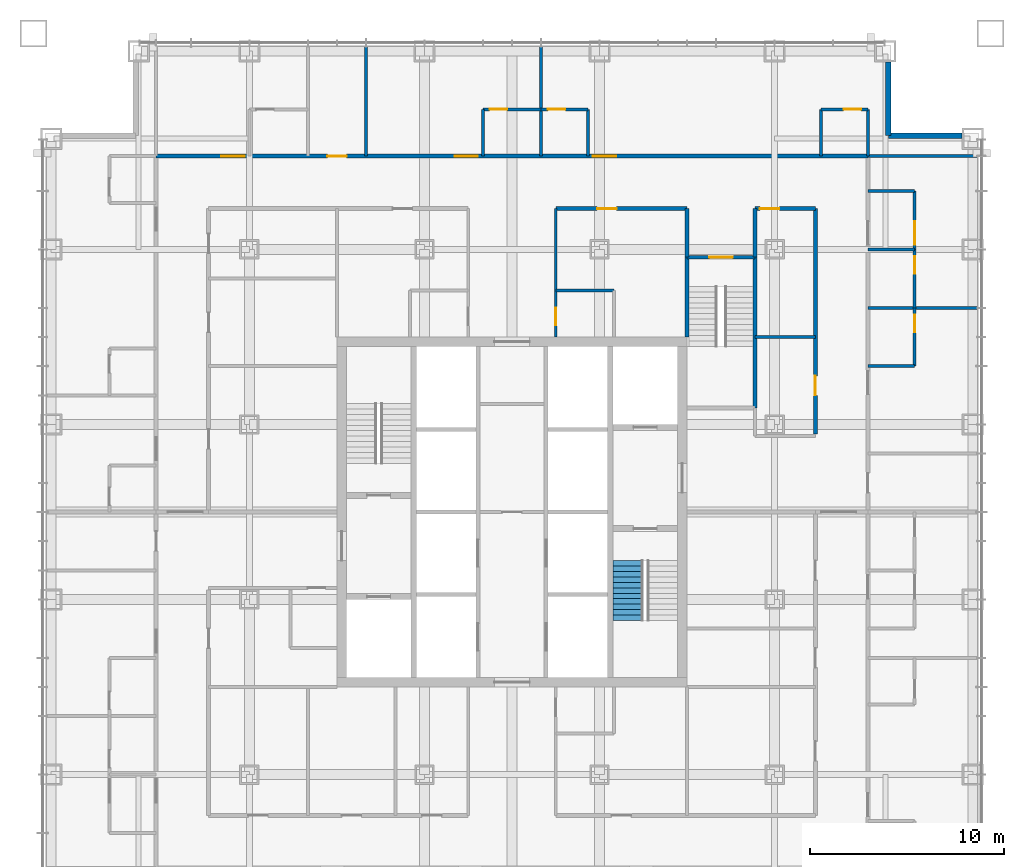
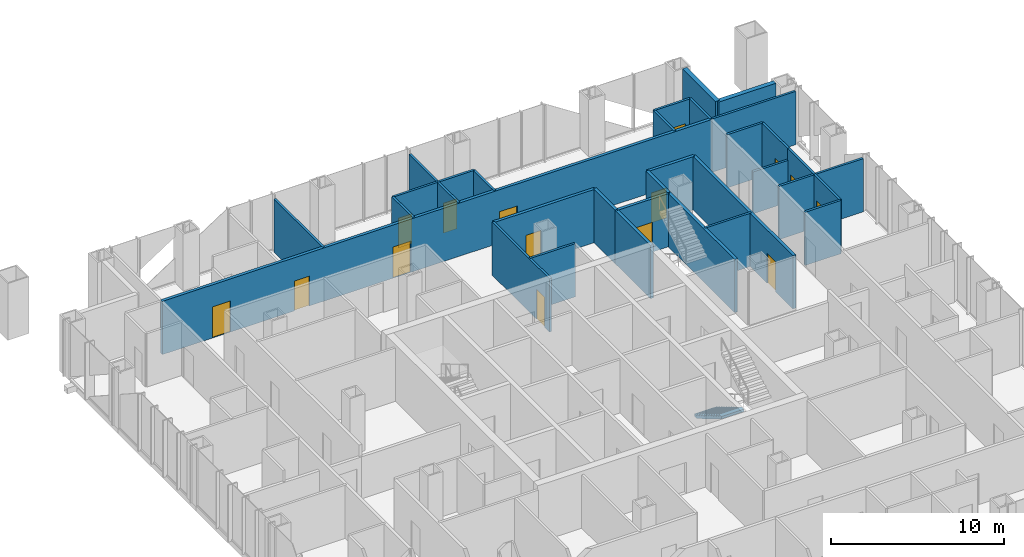
# One storey, part 12 of 16: 31 walls, 15 doors, 1 stair flight, 15 openings, 1 element without a shape of its own.
"""IFC4 building model written with IfcOpenShell, lengths in metres."""

from ifc_helpers import new_model, si_unit, direction, frame, frame_2d, origin, place, context, subcontext, project, spatial, polyline, rectangle, outline, extrude, material, layer, layer_set, type_object, element, fill, aggregate, save


model = new_model("IFC4")

# Units and contexts
model_context = context("Model", 3, precision=1e-05, world=origin(), true_north=direction((0.0, 1.0)))
body_context = subcontext(model_context, "Body", "Model", "MODEL_VIEW")
ifc_project = project(units=[si_unit("LENGTHUNIT", "METRE"), si_unit("AREAUNIT", "SQUARE_METRE"), si_unit("VOLUMEUNIT", "CUBIC_METRE"), si_unit("PLANEANGLEUNIT", "RADIAN"), si_unit("MASSUNIT", "GRAM", prefix="KILO")], contexts=[model_context])

# Site, building, storey
site_placement = place(None, origin())
site = spatial("IfcSite", under=ifc_project, at=site_placement, CompositionType="ELEMENT")
building_placement = place(site_placement, origin())
building = spatial("IfcBuilding", under=site, at=building_placement, Name="Malebo Sky Hospital", CompositionType="ELEMENT")
storey_placement = place(building_placement, frame((0.0, 0.0, 144.0)))
storey = spatial("IfcBuildingStorey", under=building, at=storey_placement, Name="L34", CompositionType="ELEMENT", Elevation=144.0)

# Wall, openings, doors
ifc_material_1 = material(Name="Gypsum board on steel studs", Category="steel")
ifc_layer_1 = layer(ifc_material_1, 0.199951171875)
ifc_layer_set_1 = layer_set([ifc_layer_1], Name="CORRIDOR WALL 200")
wall_type_1 = type_object("IfcWallType", Name="CORRIDOR WALL 200", PredefinedType="PARTITIONING", material=ifc_layer_set_1)
wall_1_placement = place(storey_placement, frame((41.699951171875, 80.300048828125, 0.0), z_axis=(0.0, 0.0, 1.0), x_axis=(1.0, 0.0, 0.0)))
wall_1 = element("IfcWall", 1, at=wall_1_placement, inside=storey, type_object=wall_type_1, Name="Corridor Wall 200 NCO", PredefinedType="PARTITIONING", context=body_context, shape_type="SweptSolid", body=[
    extrude(rectangle(XDim=36.60009765625, YDim=0.199951171875, at=frame_2d((18.300048828125, 0.0))), origin(), (0.0, 0.0, 1.0), 3.75),
])
opening_1_placement = place(wall_1_placement, frame((3.35009765625, 0.0, 0.0)))
opening_1 = element("IfcOpeningElement", 2, at=opening_1_placement, cuts=wall_1, Name="Opening D01", PredefinedType="OPENING", context=body_context, shape_type="SweptSolid", body=[
    extrude(rectangle(XDim=1.199951171875, YDim=2.199951171875, at=frame_2d((0.60009765625, 1.10009765625))), frame((0.0, 0.10986328125, 0.0), z_axis=(0.0, -1.0, 0.0), x_axis=(1.0, 0.0, 0.0)), (0.0, 0.0, 1.0), 0.219970703125),
])
opening_2_placement = place(wall_1_placement, frame((8.800048828125, 0.0, 0.0)))
opening_2 = element("IfcOpeningElement", 3, at=opening_2_placement, cuts=wall_1, Name="Opening D03", PredefinedType="OPENING", context=body_context, shape_type="SweptSolid", body=[
    extrude(rectangle(XDim=1.0, YDim=2.10009765625, at=frame_2d((0.5, 1.050048828125))), frame((0.0, 0.10986328125, 0.0), z_axis=(0.0, -1.0, 0.0), x_axis=(1.0, 0.0, 0.0)), (0.0, 0.0, 1.0), 0.219970703125),
])
opening_3_placement = place(wall_1_placement, frame((15.35009765625, 0.0, 0.0)))
opening_3 = element("IfcOpeningElement", 4, at=opening_3_placement, cuts=wall_1, Name="Opening D01", PredefinedType="OPENING", context=body_context, shape_type="SweptSolid", body=[
    extrude(rectangle(XDim=1.199951171875, YDim=2.199951171875, at=frame_2d((0.60009765625, 1.10009765625))), frame((0.0, 0.10986328125, 0.0), z_axis=(0.0, -1.0, 0.0), x_axis=(1.0, 0.0, 0.0)), (0.0, 0.0, 1.0), 0.219970703125),
])
opening_4_placement = place(wall_1_placement, frame((22.449951171875, 0.0, 0.0)))
opening_4 = element("IfcOpeningElement", 5, at=opening_4_placement, cuts=wall_1, Name="Opening D01", PredefinedType="OPENING", context=body_context, shape_type="SweptSolid", body=[
    extrude(rectangle(XDim=1.199951171875, YDim=2.199951171875, at=frame_2d((0.60009765625, 1.10009765625))), frame((0.0, 0.10986328125, 0.0), z_axis=(0.0, -1.0, 0.0), x_axis=(1.0, 0.0, 0.0)), (0.0, 0.0, 1.0), 0.219970703125),
])
ifc_material_2 = material(Name="Hardwood-faced door leaf in steel frame", Category="steel")
door_type_1 = type_object("IfcDoorType", Name="BED DOOR 1200", OperationType="SINGLE_SWING_LEFT", PredefinedType="DOOR", material=ifc_material_2)
door_1_placement = place(opening_1_placement, origin())
door_1 = element("IfcDoor", 6, at=door_1_placement, inside=storey, type_object=door_type_1, Name="Single bed room door", OperationType="SINGLE_SWING_RIGHT", OverallHeight=2.199951171875, OverallWidth=1.199951171875, PredefinedType="DOOR", context=body_context, shape_type="SweptSolid", body=[
    extrude(rectangle(XDim=1.199951171875, YDim=2.199951171875, at=frame_2d((0.60009765625, 1.10009765625))), frame((0.0, 0.02490234375, 0.0), z_axis=(0.0, -1.0, 0.0), x_axis=(1.0, 0.0, 0.0)), (0.0, 0.0, 1.0), 0.050048828125),
])
fill(opening_1, door_1)
door_2_placement = place(opening_3_placement, origin())
door_2 = element("IfcDoor", 7, at=door_2_placement, inside=storey, type_object=door_type_1, Name="Two-bed room door", OperationType="SINGLE_SWING_RIGHT", OverallHeight=2.199951171875, OverallWidth=1.199951171875, PredefinedType="DOOR", context=body_context, shape_type="SweptSolid", body=[
    extrude(rectangle(XDim=1.199951171875, YDim=2.199951171875, at=frame_2d((0.60009765625, 1.10009765625))), frame((0.0, 0.02490234375, 0.0), z_axis=(0.0, -1.0, 0.0), x_axis=(1.0, 0.0, 0.0)), (0.0, 0.0, 1.0), 0.050048828125),
])
fill(opening_3, door_2)
door_3_placement = place(opening_4_placement, origin())
door_3 = element("IfcDoor", 8, at=door_3_placement, inside=storey, type_object=door_type_1, Name="Four-bed bay door", OperationType="SINGLE_SWING_LEFT", OverallHeight=2.199951171875, OverallWidth=1.199951171875, PredefinedType="DOOR", context=body_context, shape_type="SweptSolid", body=[
    extrude(rectangle(XDim=1.199951171875, YDim=2.199951171875, at=frame_2d((0.60009765625, 1.10009765625))), frame((0.0, 0.02490234375, 0.0), z_axis=(0.0, -1.0, 0.0), x_axis=(1.0, 0.0, 0.0)), (0.0, 0.0, 1.0), 0.050048828125),
])
fill(opening_4, door_3)
door_type_2 = type_object("IfcDoorType", Name="ROOM DOOR 1000", OperationType="SINGLE_SWING_LEFT", PredefinedType="DOOR", material=ifc_material_2)
door_4_placement = place(opening_2_placement, origin())
door_4 = element("IfcDoor", 9, at=door_4_placement, inside=storey, type_object=door_type_2, Name="Interview room door", OperationType="SINGLE_SWING_LEFT", OverallHeight=2.10009765625, OverallWidth=1.0, PredefinedType="DOOR", context=body_context, shape_type="SweptSolid", body=[
    extrude(rectangle(XDim=1.0, YDim=2.10009765625, at=frame_2d((0.5, 1.050048828125))), frame((0.0, 0.02490234375, 0.0), z_axis=(0.0, -1.0, 0.0), x_axis=(1.0, 0.0, 0.0)), (0.0, 0.0, 1.0), 0.050048828125),
])
fill(opening_2, door_4)

# Wall, opening, door
wall_2_placement = place(storey_placement, frame((62.25, 77.60009765625, 0.0), z_axis=(0.0, 0.0, 1.0), x_axis=(1.0, 0.0, 0.0)))
wall_2 = element("IfcWall", 10, at=wall_2_placement, inside=storey, type_object=wall_type_1, Name="Corridor Wall 200 NCI2", PredefinedType="PARTITIONING", context=body_context, shape_type="SweptSolid", body=[
    extrude(rectangle(XDim=6.75, YDim=0.199951171875, at=frame_2d((3.375, 0.0))), origin(), (0.0, 0.0, 1.0), 3.75),
])
opening_5_placement = place(wall_2_placement, frame((2.125, 0.0, 0.0)))
opening_5 = element("IfcOpeningElement", 11, at=opening_5_placement, cuts=wall_2, Name="Opening D03", PredefinedType="OPENING", context=body_context, shape_type="SweptSolid", body=[
    extrude(rectangle(XDim=1.0, YDim=2.10009765625, at=frame_2d((0.5, 1.050048828125))), frame((0.0, 0.10986328125, 0.0), z_axis=(0.0, -1.0, 0.0), x_axis=(1.0, 0.0, 0.0)), (0.0, 0.0, 1.0), 0.219970703125),
])
door_5_placement = place(opening_5_placement, origin())
door_5 = element("IfcDoor", 12, at=door_5_placement, inside=storey, type_object=door_type_2, Name="Dirty utility room door", OperationType="SINGLE_SWING_LEFT", OverallHeight=2.10009765625, OverallWidth=1.0, PredefinedType="DOOR", context=body_context, shape_type="SweptSolid", body=[
    extrude(rectangle(XDim=1.0, YDim=2.10009765625, at=frame_2d((0.5, 1.050048828125))), frame((0.0, 0.02490234375, 0.0), z_axis=(0.0, -1.0, 0.0), x_axis=(1.0, 0.0, 0.0)), (0.0, 0.0, 1.0), 0.050048828125),
])
fill(opening_5, door_5)

wall_3_placement = place(storey_placement, frame((72.5, 77.60009765625, 0.0), z_axis=(0.0, 0.0, 1.0), x_axis=(1.0, 0.0, 0.0)))
wall_3 = element("IfcWall", 13, at=wall_3_placement, inside=storey, type_object=wall_type_1, Name="Corridor Wall 200 NCI2/2", PredefinedType="PARTITIONING", context=body_context, shape_type="SweptSolid", body=[
    extrude(rectangle(XDim=3.10009765625, YDim=0.199951171875, at=frame_2d((1.550048828125, 0.0))), origin(), (0.0, 0.0, 1.0), 3.75),
])
opening_6_placement = place(wall_3_placement, frame((0.25, 0.0, 0.0)))
opening_6 = element("IfcOpeningElement", 14, at=opening_6_placement, cuts=wall_3, Name="Opening D03", PredefinedType="OPENING", context=body_context, shape_type="SweptSolid", body=[
    extrude(rectangle(XDim=1.0, YDim=2.10009765625, at=frame_2d((0.5, 1.050048828125))), frame((0.0, 0.10986328125, 0.0), z_axis=(0.0, -1.0, 0.0), x_axis=(1.0, 0.0, 0.0)), (0.0, 0.0, 1.0), 0.219970703125),
])
door_6_placement = place(opening_6_placement, origin())
door_6 = element("IfcDoor", 15, at=door_6_placement, inside=storey, type_object=door_type_2, Name="Nurse station door", OperationType="SINGLE_SWING_LEFT", OverallHeight=2.10009765625, OverallWidth=1.0, PredefinedType="DOOR", context=body_context, shape_type="SweptSolid", body=[
    extrude(rectangle(XDim=1.0, YDim=2.10009765625, at=frame_2d((0.5, 1.050048828125))), frame((0.0, 0.02490234375, 0.0), z_axis=(0.0, -1.0, 0.0), x_axis=(1.0, 0.0, 0.0)), (0.0, 0.0, 1.0), 0.050048828125),
])
fill(opening_6, door_6)

wall_4_placement = place(storey_placement, frame((75.60009765625, 77.60009765625, 0.0), z_axis=(0.0, 0.0, 1.0), x_axis=(0.0, -1.0, 0.0)))
wall_4 = element("IfcWall", 16, at=wall_4_placement, inside=storey, type_object=wall_type_1, Name="Corridor Wall 200 ECI1", PredefinedType="PARTITIONING", context=body_context, shape_type="SweptSolid", body=[
    extrude(rectangle(XDim=11.60009765625, YDim=0.199951171875, at=frame_2d((5.800048828125, 0.0))), origin(), (0.0, 0.0, 1.0), 3.75),
])
opening_7_placement = place(wall_4_placement, frame((8.60009765625, 0.0, 0.0)))
opening_7 = element("IfcOpeningElement", 17, at=opening_7_placement, cuts=wall_4, Name="Opening D03", PredefinedType="OPENING", context=body_context, shape_type="SweptSolid", body=[
    extrude(rectangle(XDim=1.0, YDim=2.10009765625, at=frame_2d((0.5, 1.050048828125))), frame((0.0, 0.10986328125, 0.0), z_axis=(0.0, -1.0, 0.0), x_axis=(1.0, 0.0, 0.0)), (0.0, 0.0, 1.0), 0.219970703125),
])
door_7_placement = place(opening_7_placement, origin())
door_7 = element("IfcDoor", 18, at=door_7_placement, inside=storey, type_object=door_type_2, Name="Ward pantry door", OperationType="SINGLE_SWING_LEFT", OverallHeight=2.10009765625, OverallWidth=1.0, PredefinedType="DOOR", context=body_context, shape_type="SweptSolid", body=[
    extrude(rectangle(XDim=1.0, YDim=2.10009765625, at=frame_2d((0.5, 1.050048828125))), frame((0.0, 0.02490234375, 0.0), z_axis=(0.0, -1.0, 0.0), x_axis=(1.0, 0.0, 0.0)), (0.0, 0.0, 1.0), 0.050048828125),
])
fill(opening_7, door_7)

# Walls
for number, where, z_axis, x_axis, name in (
    (19, (69.0, 75.10009765625, 0.0), (0.0, 0.0, 1.0), (0.0, 1.0, 0.0), "Corridor Wall 200 ST3AW"),
    (20, (72.5, 75.10009765625, 0.0), (0.0, 0.0, 1.0), (0.0, 1.0, 0.0), "Corridor Wall 200 ST3AE"),
):
    element("IfcWall", number, at=place(storey_placement, frame(where, z_axis=z_axis, x_axis=x_axis)), inside=storey, type_object=wall_type_1, Name=name, PredefinedType="PARTITIONING", context=body_context, shape_type="SweptSolid", body=[
        extrude(rectangle(XDim=2.5, YDim=0.199951171875, at=frame_2d((1.25, 0.0))), origin(), (0.0, 0.0, 1.0), 3.75),
    ])
ifc_material_3 = material(Name="Anodised aluminium rainscreen on steel framing", Category="steel")
ifc_layer_2 = layer(ifc_material_3, 0.300048828125)
ifc_layer_set_2 = layer_set([ifc_layer_2], Name="NOTCH RAINSCREEN WALL 300")
wall_type_2 = type_object("IfcWallType", Name="NOTCH RAINSCREEN WALL 300", PredefinedType="ELEMENTEDWALL", material=ifc_layer_set_2)
for number, where, z_axis, x_axis, name in (
    (21, (79.35009765625, 85.14990234375, 0.0), (0.0, 0.0, 1.0), (0.0, -1.0, 0.0), "Notch rainscreen wall N1 L34"),
    (22, (79.35009765625, 81.35009765625, 0.0), (0.0, 0.0, 1.0), (1.0, 0.0, 0.0), "Notch rainscreen wall N2 L34"),
):
    element("IfcWall", number, at=place(storey_placement, frame(where, z_axis=z_axis, x_axis=x_axis)), inside=storey, type_object=wall_type_2, Name=name, PredefinedType="ELEMENTEDWALL", context=body_context, shape_type="SweptSolid", body=[
        extrude(rectangle(XDim=3.7998046875, YDim=0.300048828125, at=frame_2d((1.89990234375, 0.0))), origin(), (0.0, 0.0, 1.0), 4.0),
    ])
ifc_layer_3 = layer(ifc_material_1, 0.14990234375)
ifc_layer_set_3 = layer_set([ifc_layer_3], Name="PARTITION 150")
wall_type_3 = type_object("IfcWallType", Name="PARTITION 150", PredefinedType="PARTITIONING", material=ifc_layer_set_3)
for number, where, z_axis, x_axis, name in (
    (23, (52.5, 80.300048828125, 0.0), (0.0, 0.0, 1.0), (0.0, 1.0, 0.0), "Partition 150 NP-7.5"),
    (24, (61.5, 80.300048828125, 0.0), (0.0, 0.0, 1.0), (0.0, 1.0, 0.0), "Partition 150 NP+1.5"),
):
    element("IfcWall", number, at=place(storey_placement, frame(where, z_axis=z_axis, x_axis=x_axis)), inside=storey, type_object=wall_type_3, Name=name, PredefinedType="PARTITIONING", context=body_context, shape_type="SweptSolid", body=[
        extrude(rectangle(XDim=5.60986328125, YDim=0.14990234375, at=frame_2d((2.804931640625, 0.0))), origin(), (0.0, 0.0, 1.0), 3.75),
    ])

# Wall, opening, door
wall_5_placement = place(storey_placement, frame((58.5, 82.699951171875, 0.0), z_axis=(0.0, 0.0, 1.0), x_axis=(1.0, 0.0, 0.0)))
wall_5 = element("IfcWall", 25, at=wall_5_placement, inside=storey, type_object=wall_type_3, Name="Partition 150 NE2F", PredefinedType="PARTITIONING", context=body_context, shape_type="SweptSolid", body=[
    extrude(rectangle(XDim=3.0, YDim=0.14990234375, at=frame_2d((1.5, 0.0))), origin(), (0.0, 0.0, 1.0), 3.75),
])
opening_8_placement = place(wall_5_placement, frame((0.35009765625, 0.0, 0.0)))
opening_8 = element("IfcOpeningElement", 26, at=opening_8_placement, cuts=wall_5, Name="Opening D02", PredefinedType="OPENING", context=body_context, shape_type="SweptSolid", body=[
    extrude(rectangle(XDim=0.89990234375, YDim=2.10009765625, at=frame_2d((0.449951171875, 1.050048828125))), frame((0.0, 0.0849609375, 0.0), z_axis=(0.0, -1.0, 0.0), x_axis=(1.0, 0.0, 0.0)), (0.0, 0.0, 1.0), 0.169921875),
])
door_type_3 = type_object("IfcDoorType", Name="EN-SUITE DOOR 900", OperationType="SINGLE_SWING_LEFT", PredefinedType="DOOR", material=ifc_material_2)
door_8_placement = place(opening_8_placement, origin())
door_8 = element("IfcDoor", 27, at=door_8_placement, inside=storey, type_object=door_type_3, Name="En-suite door", OperationType="SINGLE_SWING_LEFT", OverallHeight=2.10009765625, OverallWidth=0.89990234375, PredefinedType="DOOR", context=body_context, shape_type="SweptSolid", body=[
    extrude(rectangle(XDim=0.89990234375, YDim=2.10009765625, at=frame_2d((0.449951171875, 1.050048828125))), frame((0.0, 0.02490234375, 0.0), z_axis=(0.0, -1.0, 0.0), x_axis=(1.0, 0.0, 0.0)), (0.0, 0.0, 1.0), 0.050048828125),
])
fill(opening_8, door_8)

# Wall
wall_6_placement = place(storey_placement, frame((58.5, 80.300048828125, 0.0), z_axis=(0.0, 0.0, 1.0), x_axis=(0.0, 1.0, 0.0)))
element("IfcWall", 28, at=wall_6_placement, inside=storey, type_object=wall_type_3, Name="Partition 150 NE2S", PredefinedType="PARTITIONING", context=body_context, shape_type="SweptSolid", body=[
    extrude(rectangle(XDim=2.39990234375, YDim=0.14990234375, at=frame_2d((1.199951171875, 0.0))), origin(), (0.0, 0.0, 1.0), 3.75),
])

# Wall, opening, door
wall_7_placement = place(storey_placement, frame((61.5, 82.699951171875, 0.0), z_axis=(0.0, 0.0, 1.0), x_axis=(1.0, 0.0, 0.0)))
wall_7 = element("IfcWall", 29, at=wall_7_placement, inside=storey, type_object=wall_type_3, Name="Partition 150 NE3F", PredefinedType="PARTITIONING", context=body_context, shape_type="SweptSolid", body=[
    extrude(rectangle(XDim=2.39990234375, YDim=0.14990234375, at=frame_2d((1.199951171875, 0.0))), origin(), (0.0, 0.0, 1.0), 3.75),
])
opening_9_placement = place(wall_7_placement, frame((0.35009765625, 0.0, 0.0)))
opening_9 = element("IfcOpeningElement", 30, at=opening_9_placement, cuts=wall_7, Name="Opening D02", PredefinedType="OPENING", context=body_context, shape_type="SweptSolid", body=[
    extrude(rectangle(XDim=0.89990234375, YDim=2.10009765625, at=frame_2d((0.449951171875, 1.050048828125))), frame((0.0, 0.0849609375, 0.0), z_axis=(0.0, -1.0, 0.0), x_axis=(1.0, 0.0, 0.0)), (0.0, 0.0, 1.0), 0.169921875),
])
door_9_placement = place(opening_9_placement, origin())
door_9 = element("IfcDoor", 31, at=door_9_placement, inside=storey, type_object=door_type_3, Name="En-suite door", OperationType="SINGLE_SWING_LEFT", OverallHeight=2.10009765625, OverallWidth=0.89990234375, PredefinedType="DOOR", context=body_context, shape_type="SweptSolid", body=[
    extrude(rectangle(XDim=0.89990234375, YDim=2.10009765625, at=frame_2d((0.449951171875, 1.050048828125))), frame((0.0, 0.02490234375, 0.0), z_axis=(0.0, -1.0, 0.0), x_axis=(1.0, 0.0, 0.0)), (0.0, 0.0, 1.0), 0.050048828125),
])
fill(opening_9, door_9)

# Wall
wall_8_placement = place(storey_placement, frame((63.89990234375, 80.300048828125, 0.0), z_axis=(0.0, 0.0, 1.0), x_axis=(0.0, 1.0, 0.0)))
element("IfcWall", 32, at=wall_8_placement, inside=storey, type_object=wall_type_3, Name="Partition 150 NE3S", PredefinedType="PARTITIONING", context=body_context, shape_type="SweptSolid", body=[
    extrude(rectangle(XDim=2.39990234375, YDim=0.14990234375, at=frame_2d((1.199951171875, 0.0))), origin(), (0.0, 0.0, 1.0), 3.75),
])

# Wall, opening, door
wall_9_placement = place(storey_placement, frame((75.89990234375, 82.699951171875, 0.0), z_axis=(0.0, 0.0, 1.0), x_axis=(1.0, 0.0, 0.0)))
wall_9 = element("IfcWall", 33, at=wall_9_placement, inside=storey, type_object=wall_type_3, Name="Partition 150 NG3F", PredefinedType="PARTITIONING", context=body_context, shape_type="SweptSolid", body=[
    extrude(rectangle(XDim=2.400146484375, YDim=0.14990234375, at=frame_2d((1.2001953125, 0.0))), origin(), (0.0, 0.0, 1.0), 3.75),
])
opening_10_placement = place(wall_9_placement, frame((1.14990234375, 0.0, 0.0)))
opening_10 = element("IfcOpeningElement", 34, at=opening_10_placement, cuts=wall_9, Name="Opening D02", PredefinedType="OPENING", context=body_context, shape_type="SweptSolid", body=[
    extrude(rectangle(XDim=0.89990234375, YDim=2.10009765625, at=frame_2d((0.449951171875, 1.050048828125))), frame((0.0, 0.0849609375, 0.0), z_axis=(0.0, -1.0, 0.0), x_axis=(1.0, 0.0, 0.0)), (0.0, 0.0, 1.0), 0.169921875),
])
door_10_placement = place(opening_10_placement, origin())
door_10 = element("IfcDoor", 35, at=door_10_placement, inside=storey, type_object=door_type_3, Name="En-suite door", OperationType="SINGLE_SWING_RIGHT", OverallHeight=2.10009765625, OverallWidth=0.89990234375, PredefinedType="DOOR", context=body_context, shape_type="SweptSolid", body=[
    extrude(rectangle(XDim=0.89990234375, YDim=2.10009765625, at=frame_2d((0.449951171875, 1.050048828125))), frame((0.0, 0.02490234375, 0.0), z_axis=(0.0, -1.0, 0.0), x_axis=(1.0, 0.0, 0.0)), (0.0, 0.0, 1.0), 0.050048828125),
])
fill(opening_10, door_10)

# Walls
for number, where, z_axis, x_axis, name in (
    (36, (75.89990234375, 80.300048828125, 0.0), (0.0, 0.0, 1.0), (0.0, 1.0, 0.0), "Partition 150 NG3S"),
    (37, (78.300048828125, 80.300048828125, 0.0), (0.0, 0.0, 1.0), (0.0, 1.0, 0.0), "Partition 150 NEZ"),
):
    element("IfcWall", number, at=place(storey_placement, frame(where, z_axis=z_axis, x_axis=x_axis)), inside=storey, type_object=wall_type_3, Name=name, PredefinedType="PARTITIONING", context=body_context, shape_type="SweptSolid", body=[
        extrude(rectangle(XDim=2.39990234375, YDim=0.14990234375, at=frame_2d((1.199951171875, 0.0))), origin(), (0.0, 0.0, 1.0), 3.75),
    ])

# Wall, opening, door
wall_10_placement = place(storey_placement, frame((62.25, 71.0, 0.0), z_axis=(0.0, 0.0, 1.0), x_axis=(0.0, 1.0, 0.0)))
wall_10 = element("IfcWall", 38, at=wall_10_placement, inside=storey, type_object=wall_type_3, Name="Partition 150 NSPB", PredefinedType="PARTITIONING", context=body_context, shape_type="SweptSolid", body=[
    extrude(rectangle(XDim=6.60009765625, YDim=0.14990234375, at=frame_2d((3.300048828125, 0.0))), origin(), (0.0, 0.0, 1.0), 3.75),
])
opening_11_placement = place(wall_10_placement, frame((0.60009765625, 0.0, 0.0)))
opening_11 = element("IfcOpeningElement", 39, at=opening_11_placement, cuts=wall_10, Name="Opening D04", PredefinedType="OPENING", context=body_context, shape_type="SweptSolid", body=[
    extrude(rectangle(XDim=0.89990234375, YDim=2.10009765625, at=frame_2d((0.449951171875, 1.050048828125))), frame((0.0, 0.0849609375, 0.0), z_axis=(0.0, -1.0, 0.0), x_axis=(1.0, 0.0, 0.0)), (0.0, 0.0, 1.0), 0.169921875),
])
door_type_4 = type_object("IfcDoorType", Name="ROOM DOOR 900", OperationType="SINGLE_SWING_LEFT", PredefinedType="DOOR", material=ifc_material_2)
door_11_placement = place(opening_11_placement, origin())
door_11 = element("IfcDoor", 40, at=door_11_placement, inside=storey, type_object=door_type_4, Name="Accessible WC door", OperationType="SINGLE_SWING_LEFT", OverallHeight=2.10009765625, OverallWidth=0.89990234375, PredefinedType="DOOR", context=body_context, shape_type="SweptSolid", body=[
    extrude(rectangle(XDim=0.89990234375, YDim=2.10009765625, at=frame_2d((0.449951171875, 1.050048828125))), frame((0.0, 0.02490234375, 0.0), z_axis=(0.0, -1.0, 0.0), x_axis=(1.0, 0.0, 0.0)), (0.0, 0.0, 1.0), 0.050048828125),
])
fill(opening_11, door_11)

# Walls
wall_11_placement = place(storey_placement, frame((62.25, 73.39990234375, 0.0), z_axis=(0.0, 0.0, 1.0), x_axis=(1.0, 0.0, 0.0)))
element("IfcWall", 41, at=wall_11_placement, inside=storey, type_object=wall_type_3, Name="Partition 150 NSX1", PredefinedType="PARTITIONING", context=body_context, shape_type="SweptSolid", body=[
    extrude(rectangle(XDim=3.0, YDim=0.14990234375, at=frame_2d((1.5, 0.0))), origin(), (0.0, 0.0, 1.0), 3.75),
])
for number, where, z_axis, x_axis, name in (
    (42, (78.300048828125, 72.5, 0.0), (0.0, 0.0, 1.0), (1.0, 0.0, 0.0), "Partition 150 EP-10.5"),
    (43, (78.300048828125, 80.300048828125, 0.0), (0.0, 0.0, 1.0), (1.0, 0.0, 0.0), "Partition 150 EP0"),
):
    element("IfcWall", number, at=place(storey_placement, frame(where, z_axis=z_axis, x_axis=x_axis)), inside=storey, type_object=wall_type_3, Name=name, PredefinedType="PARTITIONING", context=body_context, shape_type="SweptSolid", body=[
        extrude(rectangle(XDim=5.60986328125, YDim=0.14990234375, at=frame_2d((2.804931640625, 0.0))), origin(), (0.0, 0.0, 1.0), 3.75),
    ])

# Wall, opening, door
wall_12_placement = place(storey_placement, frame((80.699951171875, 75.5, 0.0), z_axis=(0.0, 0.0, 1.0), x_axis=(0.0, -1.0, 0.0)))
wall_12 = element("IfcWall", 44, at=wall_12_placement, inside=storey, type_object=wall_type_3, Name="Partition 150 EE0F", PredefinedType="PARTITIONING", context=body_context, shape_type="SweptSolid", body=[
    extrude(rectangle(XDim=3.0, YDim=0.14990234375, at=frame_2d((1.5, 0.0))), origin(), (0.0, 0.0, 1.0), 3.75),
])
opening_12_placement = place(wall_12_placement, frame((0.35009765625, 0.0, 0.0)))
opening_12 = element("IfcOpeningElement", 45, at=opening_12_placement, cuts=wall_12, Name="Opening D02", PredefinedType="OPENING", context=body_context, shape_type="SweptSolid", body=[
    extrude(rectangle(XDim=0.89990234375, YDim=2.10009765625, at=frame_2d((0.449951171875, 1.050048828125))), frame((0.0, 0.0849609375, 0.0), z_axis=(0.0, -1.0, 0.0), x_axis=(1.0, 0.0, 0.0)), (0.0, 0.0, 1.0), 0.169921875),
])
door_12_placement = place(opening_12_placement, origin())
door_12 = element("IfcDoor", 46, at=door_12_placement, inside=storey, type_object=door_type_3, Name="En-suite door", OperationType="SINGLE_SWING_LEFT", OverallHeight=2.10009765625, OverallWidth=0.89990234375, PredefinedType="DOOR", context=body_context, shape_type="SweptSolid", body=[
    extrude(rectangle(XDim=0.89990234375, YDim=2.10009765625, at=frame_2d((0.449951171875, 1.050048828125))), frame((0.0, 0.02490234375, 0.0), z_axis=(0.0, -1.0, 0.0), x_axis=(1.0, 0.0, 0.0)), (0.0, 0.0, 1.0), 0.050048828125),
])
fill(opening_12, door_12)

# Wall
wall_13_placement = place(storey_placement, frame((78.300048828125, 75.5, 0.0), z_axis=(0.0, 0.0, 1.0), x_axis=(1.0, 0.0, 0.0)))
element("IfcWall", 47, at=wall_13_placement, inside=storey, type_object=wall_type_3, Name="Partition 150 EE0S", PredefinedType="PARTITIONING", context=body_context, shape_type="SweptSolid", body=[
    extrude(rectangle(XDim=2.39990234375, YDim=0.14990234375, at=frame_2d((1.199951171875, 0.0))), origin(), (0.0, 0.0, 1.0), 2.949951171875),
])

# Wall, opening, door
wall_14_placement = place(storey_placement, frame((80.699951171875, 72.5, 0.0), z_axis=(0.0, 0.0, 1.0), x_axis=(0.0, -1.0, 0.0)))
wall_14 = element("IfcWall", 48, at=wall_14_placement, inside=storey, type_object=wall_type_3, Name="Partition 150 EE1F", PredefinedType="PARTITIONING", context=body_context, shape_type="SweptSolid", body=[
    extrude(rectangle(XDim=3.0, YDim=0.14990234375, at=frame_2d((1.5, 0.0))), origin(), (0.0, 0.0, 1.0), 3.75),
])
opening_13_placement = place(wall_14_placement, frame((0.35009765625, 0.0, 0.0)))
opening_13 = element("IfcOpeningElement", 49, at=opening_13_placement, cuts=wall_14, Name="Opening D02", PredefinedType="OPENING", context=body_context, shape_type="SweptSolid", body=[
    extrude(rectangle(XDim=0.89990234375, YDim=2.10009765625, at=frame_2d((0.449951171875, 1.050048828125))), frame((0.0, 0.0849609375, 0.0), z_axis=(0.0, -1.0, 0.0), x_axis=(1.0, 0.0, 0.0)), (0.0, 0.0, 1.0), 0.169921875),
])
door_13_placement = place(opening_13_placement, origin())
door_13 = element("IfcDoor", 50, at=door_13_placement, inside=storey, type_object=door_type_3, Name="En-suite door", OperationType="SINGLE_SWING_LEFT", OverallHeight=2.10009765625, OverallWidth=0.89990234375, PredefinedType="DOOR", context=body_context, shape_type="SweptSolid", body=[
    extrude(rectangle(XDim=0.89990234375, YDim=2.10009765625, at=frame_2d((0.449951171875, 1.050048828125))), frame((0.0, 0.02490234375, 0.0), z_axis=(0.0, -1.0, 0.0), x_axis=(1.0, 0.0, 0.0)), (0.0, 0.0, 1.0), 0.050048828125),
])
fill(opening_13, door_13)

# Walls
wall_15_placement = place(storey_placement, frame((78.300048828125, 69.5, 0.0), z_axis=(0.0, 0.0, 1.0), x_axis=(1.0, 0.0, 0.0)))
element("IfcWall", 51, at=wall_15_placement, inside=storey, type_object=wall_type_3, Name="Partition 150 EE1S", PredefinedType="PARTITIONING", context=body_context, shape_type="SweptSolid", body=[
    extrude(rectangle(XDim=2.39990234375, YDim=0.14990234375, at=frame_2d((1.199951171875, 0.0))), origin(), (0.0, 0.0, 1.0), 3.75),
])
wall_16_placement = place(storey_placement, frame((72.5, 71.0, 0.0), z_axis=(0.0, 0.0, 1.0), x_axis=(1.0, 0.0, 0.0)))
element("IfcWall", 52, at=wall_16_placement, inside=storey, type_object=wall_type_3, Name="Partition 150 ESP0", PredefinedType="PARTITIONING", context=body_context, shape_type="SweptSolid", body=[
    extrude(rectangle(XDim=3.10009765625, YDim=0.14990234375, at=frame_2d((1.550048828125, 0.0))), origin(), (0.0, 0.0, 1.0), 3.75),
])

# Wall, opening, door
ifc_material_4 = material(Name="Sealed gypsum board on steel studs, taped to the slab", Category="steel")
ifc_layer_4 = layer(ifc_material_4, 0.14990234375)
ifc_layer_set_4 = layer_set([ifc_layer_4], Name="SEALED ISOLATION PARTITION 150")
wall_type_4 = type_object("IfcWallType", Name="SEALED ISOLATION PARTITION 150", PredefinedType="PARTITIONING", material=ifc_layer_set_4)
wall_17_placement = place(storey_placement, frame((80.699951171875, 78.5, 0.0), z_axis=(0.0, 0.0, 1.0), x_axis=(0.0, -1.0, 0.0)))
wall_17 = element("IfcWall", 53, at=wall_17_placement, inside=storey, type_object=wall_type_4, Name="Sealed Isolation Partition 150 EA0F", PredefinedType="PARTITIONING", context=body_context, shape_type="SweptSolid", body=[
    extrude(rectangle(XDim=3.0, YDim=0.14990234375, at=frame_2d((1.5, 0.0))), origin(), (0.0, 0.0, 1.0), 3.75),
])
opening_14_placement = place(wall_17_placement, frame((1.550048828125, 0.0, 0.0)))
opening_14 = element("IfcOpeningElement", 54, at=opening_14_placement, cuts=wall_17, Name="Opening D19", PredefinedType="OPENING", context=body_context, shape_type="SweptSolid", body=[
    extrude(rectangle(XDim=1.199951171875, YDim=2.199951171875, at=frame_2d((0.60009765625, 1.10009765625))), frame((0.0, 0.0849609375, 0.0), z_axis=(0.0, -1.0, 0.0), x_axis=(1.0, 0.0, 0.0)), (0.0, 0.0, 1.0), 0.169921875),
])
ifc_material_5 = material(Name="Hardwood-faced door leaf with perimeter seals in steel frame", Category="steel")
door_type_5 = type_object("IfcDoorType", Name="SEALED ISOLATION ROOM DOOR 1200", OperationType="SINGLE_SWING_LEFT", PredefinedType="DOOR", material=ifc_material_5)
door_14_placement = place(opening_14_placement, origin())
door_14 = element("IfcDoor", 55, at=door_14_placement, inside=storey, type_object=door_type_5, Name="Isolation room door", OperationType="SINGLE_SWING_RIGHT", OverallHeight=2.199951171875, OverallWidth=1.199951171875, PredefinedType="DOOR", context=body_context, shape_type="SweptSolid", body=[
    extrude(rectangle(XDim=1.199951171875, YDim=2.199951171875, at=frame_2d((0.60009765625, 1.10009765625))), frame((0.0, 0.02490234375, 0.0), z_axis=(0.0, -1.0, 0.0), x_axis=(1.0, 0.0, 0.0)), (0.0, 0.0, 1.0), 0.050048828125),
])
fill(opening_14, door_14)

# Walls
wall_18_placement = place(storey_placement, frame((78.300048828125, 78.5, 0.0), z_axis=(0.0, 0.0, 1.0), x_axis=(1.0, 0.0, 0.0)))
element("IfcWall", 56, at=wall_18_placement, inside=storey, type_object=wall_type_4, Name="Sealed Isolation Partition 150 EA0S", PredefinedType="PARTITIONING", context=body_context, shape_type="SweptSolid", body=[
    extrude(rectangle(XDim=2.39990234375, YDim=0.14990234375, at=frame_2d((1.199951171875, 0.0))), origin(), (0.0, 0.0, 1.0), 3.75),
])
ifc_material_6 = material(Name="Concrete C40/50", Category="concrete")
ifc_layer_5 = layer(ifc_material_6, 0.199951171875)
ifc_layer_set_5 = layer_set([ifc_layer_5], Name="STAIR ENCLOSURE WALL 200")
wall_type_5 = type_object("IfcWallType", Name="STAIR ENCLOSURE WALL 200", PredefinedType="SOLIDWALL", material=ifc_layer_set_5)
wall_19_placement = place(storey_placement, frame((69.0, 71.0, 0.0), z_axis=(0.0, 0.0, 1.0), x_axis=(0.0, 1.0, 0.0)))
element("IfcWall", 57, at=wall_19_placement, inside=storey, type_object=wall_type_5, Name="Stair Enclosure Wall 200 ST3W", PredefinedType="SOLIDWALL", context=body_context, shape_type="SweptSolid", body=[
    extrude(rectangle(XDim=4.10009765625, YDim=0.199951171875, at=frame_2d((2.050048828125, 0.0))), origin(), (0.0, 0.0, 1.0), 3.75),
])
wall_20_placement = place(storey_placement, frame((72.5, 67.35009765625, 0.0), z_axis=(0.0, 0.0, 1.0), x_axis=(0.0, 1.0, 0.0)))
element("IfcWall", 58, at=wall_20_placement, inside=storey, type_object=wall_type_5, Name="Stair Enclosure Wall 200 ST3E", PredefinedType="SOLIDWALL", context=body_context, shape_type="SweptSolid", body=[
    extrude(rectangle(XDim=7.75, YDim=0.199951171875, at=frame_2d((3.875, 0.0))), origin(), (0.0, 0.0, 1.0), 3.75),
])

# Wall, opening, door
wall_21_placement = place(storey_placement, frame((69.0, 75.10009765625, 0.0), z_axis=(0.0, 0.0, 1.0), x_axis=(1.0, 0.0, 0.0)))
wall_21 = element("IfcWall", 59, at=wall_21_placement, inside=storey, type_object=wall_type_5, Name="Stair Enclosure Wall 200 ST3N", PredefinedType="SOLIDWALL", context=body_context, shape_type="SweptSolid", body=[
    extrude(rectangle(XDim=3.5, YDim=0.199951171875, at=frame_2d((1.75, 0.0))), origin(), (0.0, 0.0, 1.0), 3.75),
])
opening_15_placement = place(wall_21_placement, frame((1.14990234375, 0.0, 0.0)))
opening_15 = element("IfcOpeningElement", 60, at=opening_15_placement, cuts=wall_21, Name="Opening D08", PredefinedType="OPENING", context=body_context, shape_type="SweptSolid", body=[
    extrude(rectangle(XDim=1.199951171875, YDim=2.10009765625, at=frame_2d((0.60009765625, 1.050048828125))), frame((0.0, 0.10986328125, 0.0), z_axis=(0.0, -1.0, 0.0), x_axis=(1.0, 0.0, 0.0)), (0.0, 0.0, 1.0), 0.219970703125),
])
door_type_6 = type_object("IfcDoorType", Name="STAIR DOOR 1200", OperationType="SINGLE_SWING_LEFT", PredefinedType="DOOR", material=ifc_material_2)
door_15_placement = place(opening_15_placement, origin())
door_15 = element("IfcDoor", 61, at=door_15_placement, inside=storey, type_object=door_type_6, Name="Stair S3 door", OperationType="SINGLE_SWING_LEFT", OverallHeight=2.10009765625, OverallWidth=1.199951171875, PredefinedType="DOOR", context=body_context, shape_type="SweptSolid", body=[
    extrude(rectangle(XDim=1.199951171875, YDim=2.10009765625, at=frame_2d((0.60009765625, 1.050048828125))), frame((0.0, 0.02490234375, 0.0), z_axis=(0.0, -1.0, 0.0), x_axis=(1.0, 0.0, 0.0)), (0.0, 0.0, 1.0), 0.050048828125),
])
fill(opening_15, door_15)

# Stair, stair flight
stair_type = type_object("IfcStairType", Name="HALF-TURN STAIR 1500 R167", PredefinedType="HALF_TURN_STAIR", material=ifc_material_6)
stair_placement = place(storey_placement, origin())
stair = element("IfcStair", 62, at=stair_placement, inside=storey, type_object=stair_type, Name="Stair S2 L34 type ST1", PredefinedType="HALF_TURN_STAIR")
stair_flight_type = type_object("IfcStairFlightType", Name="STAIR FLIGHT 1500 R167", PredefinedType="STRAIGHT", material=ifc_material_6)
stair_flight_placement = place(storey_placement, frame((65.949951171875, 59.5, 0.0), z_axis=(0.0, 0.0, 1.0), x_axis=(0.0, -1.0, 0.0)))
stair_flight = element("IfcStairFlight", 63, at=stair_flight_placement, type_object=stair_flight_type, Name="S2 flight 1 type SF1", NumberOfRisers=12, NumberOfTreads=11, PredefinedType="STRAIGHT", RiserHeight=0.166666667, TreadLength=0.28, context=body_context, shape_type="SweptSolid", body=[
    extrude(outline(polyline([(0.0, 0.0), (0.0, 0.166748046875), (0.280029296875, 0.166748046875), (0.280029296875, 0.333251953125), (0.56005859375, 0.333251953125), (0.56005859375, 0.5), (0.840087890625, 0.5), (0.840087890625, 0.666748046875), (1.1201171875, 0.666748046875), (1.1201171875, 0.833251953125), (1.39990234375, 0.833251953125), (1.39990234375, 1.0), (1.679931640625, 1.0), (1.679931640625, 1.166748046875), (1.9599609375, 1.166748046875), (1.9599609375, 1.333251953125), (2.239990234375, 1.333251953125), (2.239990234375, 1.5), (2.52001953125, 1.5), (2.52001953125, 1.666748046875), (2.800048828125, 1.666748046875), (2.800048828125, 1.833251953125), (3.080078125, 1.833251953125), (3.080078125, 2.0), (3.080078125, 1.658935546875), (0.29296875, 0.0), (0.0, 0.0)])), frame((0.0, 0.75, 0.0), z_axis=(0.0, -1.0, 0.0), x_axis=(1.0, 0.0, 0.0)), (0.0, 0.0, 1.0), 1.5),
])
aggregate(stair, [stair_flight])

save(model, "model.ifc")
